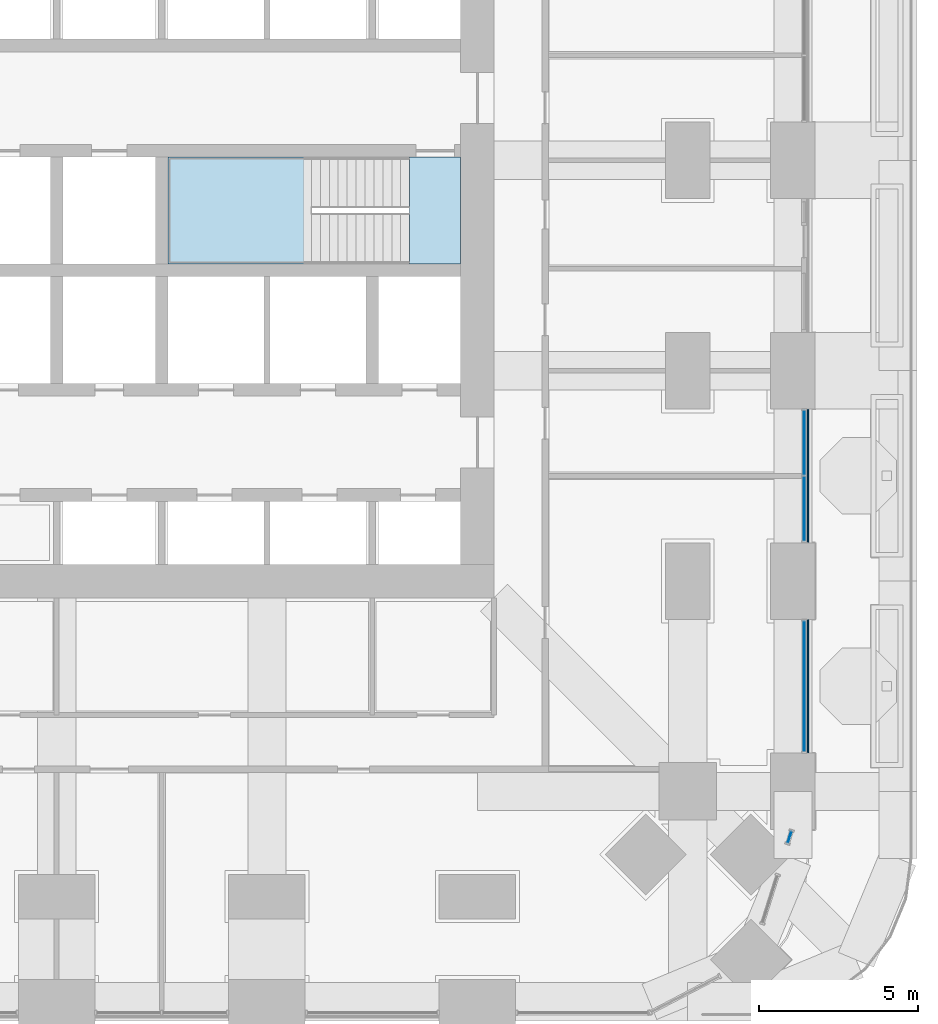
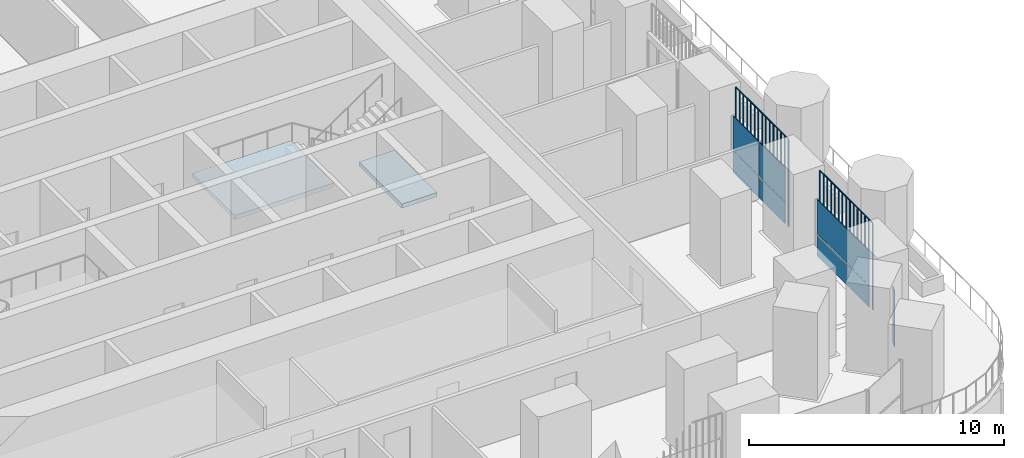
# One storey, part 13 of 27: 10 plates, 2 slabs, 4 elements without a shape of their own.
"""IFC4 building model written with IfcOpenShell, lengths in metres."""

from ifc_helpers import new_model, si_unit, direction, frame, origin, origin_2d, place, context, subcontext, project, spatial, polyline, rectangle, outline, extrude, material, layer, layer_set, type_object, element, aggregate, save


model = new_model("IFC4")

# Units and contexts
model_context = context("Model", 3, precision=1e-05, world=origin(), true_north=direction((0.0, 1.0)))
body_context = subcontext(model_context, "Body", "Model", "MODEL_VIEW")
ifc_project = project(units=[si_unit("LENGTHUNIT", "METRE"), si_unit("AREAUNIT", "SQUARE_METRE"), si_unit("VOLUMEUNIT", "CUBIC_METRE"), si_unit("PLANEANGLEUNIT", "RADIAN"), si_unit("MASSUNIT", "GRAM", prefix="KILO")], contexts=[model_context])

# Site, building, storey
site_placement = place(None, origin())
site = spatial("IfcSite", under=ifc_project, at=site_placement, CompositionType="ELEMENT")
building_placement = place(site_placement, origin())
building = spatial("IfcBuilding", under=site, at=building_placement, Name="Cobogo Forest Laboratory Tower", CompositionType="ELEMENT")
storey_placement = place(building_placement, frame((0.0, 0.0, 82.199951171875)))
storey = spatial("IfcBuildingStorey", under=building, at=storey_placement, Name="L18", CompositionType="ELEMENT", Elevation=82.199951171875)

# Curtain wall, plates
ifc_material_1 = material(Name="Aluminium curtain wall", Category="aluminium")
curtain_wall_type = type_object("IfcCurtainWallType", Name="CW-1 unitised curtain wall, clear glazing, laboratory floors zones A and B", PredefinedType="USERDEFINED", material=ifc_material_1)
curtain_wall_1_placement = place(storey_placement, origin())
curtain_wall_1 = element("IfcCurtainWall", 1, at=curtain_wall_1_placement, inside=storey, type_object=curtain_wall_type, Name="Curtain wall 09 L18", ObjectType="UNITISED CURTAIN WALL", PredefinedType="USERDEFINED")
ifc_material_2 = material(Name="Clear insulated glass", Category="glass")
ifc_layer_1 = layer(ifc_material_2, 0.028076171875)
ifc_layer_set_1 = layer_set([ifc_layer_1], Name="GP-1 clear insulated glass unit 28")
plate_type_1 = type_object("IfcPlateType", Name="GP-1 clear insulated glass unit 28", PredefinedType="CURTAIN_PANEL", material=ifc_layer_set_1)
plate_1_placement = place(storey_placement, frame((49.397216796875, 5.16650390625, 0.0), z_axis=(0.0, 0.0, 1.0), x_axis=(0.301134593201, 0.953581646624, 0.0)))
plate_1 = element("IfcPlate", 2, at=plate_1_placement, type_object=plate_type_1, Name="CW-1 panel 1.1", PredefinedType="CURTAIN_PANEL", context=body_context, shape_type="SweptSolid", body=[
    extrude(rectangle(XDim=0.36962890625, YDim=0.028076171875, at=origin_2d()), origin(), (0.0, 0.0, 1.0), 1.02001953125),
])
plate_2_placement = place(storey_placement, frame((49.397216796875, 5.16650390625, 1.080078125), z_axis=(0.0, 0.0, 1.0), x_axis=(0.301134593201, 0.953581646624, 0.0)))
plate_2 = element("IfcPlate", 3, at=plate_2_placement, type_object=plate_type_1, Name="CW-1 panel 1.2", PredefinedType="CURTAIN_PANEL", context=body_context, shape_type="SweptSolid", body=[
    extrude(rectangle(XDim=0.36962890625, YDim=0.028076171875, at=origin_2d()), origin(), (0.0, 0.0, 1.0), 1.6201171875),
])
aggregate(curtain_wall_1, [plate_1, plate_2])

curtain_wall_2_placement = place(storey_placement, origin())
curtain_wall_2 = element("IfcCurtainWall", 4, at=curtain_wall_2_placement, inside=storey, type_object=curtain_wall_type, Name="Curtain wall 10 L18", ObjectType="UNITISED CURTAIN WALL", PredefinedType="USERDEFINED")
plate_3_placement = place(storey_placement, frame((49.85009765625, 9.89990234375, 0.0), z_axis=(0.0, 0.0, 1.0), x_axis=(0.0, 1.0, 0.0)))
plate_3 = element("IfcPlate", 5, at=plate_3_placement, type_object=plate_type_1, Name="CW-1 panel 1.1", PredefinedType="CURTAIN_PANEL", context=body_context, shape_type="SweptSolid", body=[
    extrude(rectangle(XDim=4.080078125, YDim=0.028076171875, at=origin_2d()), origin(), (0.0, 0.0, 1.0), 1.02001953125),
])
plate_4_placement = place(storey_placement, frame((49.85009765625, 9.89990234375, 1.080078125), z_axis=(0.0, 0.0, 1.0), x_axis=(0.0, 1.0, 0.0)))
plate_4 = element("IfcPlate", 6, at=plate_4_placement, type_object=plate_type_1, Name="CW-1 panel 1.2", PredefinedType="CURTAIN_PANEL", context=body_context, shape_type="SweptSolid", body=[
    extrude(rectangle(XDim=4.080078125, YDim=0.028076171875, at=origin_2d()), origin(), (0.0, 0.0, 1.0), 1.6201171875),
])
aggregate(curtain_wall_2, [plate_3, plate_4])

curtain_wall_3_placement = place(storey_placement, origin())
curtain_wall_3 = element("IfcCurtainWall", 7, at=curtain_wall_3_placement, inside=storey, type_object=curtain_wall_type, Name="Curtain wall 11 L18", ObjectType="UNITISED CURTAIN WALL", PredefinedType="USERDEFINED")
plate_5_placement = place(storey_placement, frame((49.85009765625, 15.465087890625, 0.0), z_axis=(0.0, 0.0, 1.0), x_axis=(0.0, 1.0, 0.0)))
plate_5 = element("IfcPlate", 8, at=plate_5_placement, type_object=plate_type_1, Name="CW-1 panel 1.1", PredefinedType="CURTAIN_PANEL", context=body_context, shape_type="SweptSolid", body=[
    extrude(rectangle(XDim=2.010009765625, YDim=0.028076171875, at=origin_2d()), origin(), (0.0, 0.0, 1.0), 1.02001953125),
])
plate_6_placement = place(storey_placement, frame((49.85009765625, 15.465087890625, 1.080078125), z_axis=(0.0, 0.0, 1.0), x_axis=(0.0, 1.0, 0.0)))
plate_6 = element("IfcPlate", 9, at=plate_6_placement, type_object=plate_type_1, Name="CW-1 panel 1.2", PredefinedType="CURTAIN_PANEL", context=body_context, shape_type="SweptSolid", body=[
    extrude(rectangle(XDim=2.010009765625, YDim=0.028076171875, at=origin_2d()), origin(), (0.0, 0.0, 1.0), 1.6201171875),
])
plate_7_placement = place(storey_placement, frame((49.85009765625, 17.534912109375, 0.0), z_axis=(0.0, 0.0, 1.0), x_axis=(0.0, 1.0, 0.0)))
plate_7 = element("IfcPlate", 10, at=plate_7_placement, type_object=plate_type_1, Name="CW-1 panel 2.1", PredefinedType="CURTAIN_PANEL", context=body_context, shape_type="SweptSolid", body=[
    extrude(rectangle(XDim=2.010009765625, YDim=0.028076171875, at=origin_2d()), origin(), (0.0, 0.0, 1.0), 1.02001953125),
])
plate_8_placement = place(storey_placement, frame((49.85009765625, 17.534912109375, 1.080078125), z_axis=(0.0, 0.0, 1.0), x_axis=(0.0, 1.0, 0.0)))
plate_8 = element("IfcPlate", 11, at=plate_8_placement, type_object=plate_type_1, Name="CW-1 panel 2.2", PredefinedType="CURTAIN_PANEL", context=body_context, shape_type="SweptSolid", body=[
    extrude(rectangle(XDim=2.010009765625, YDim=0.028076171875, at=origin_2d()), origin(), (0.0, 0.0, 1.0), 1.6201171875),
])
aggregate(curtain_wall_3, [plate_5, plate_6, plate_7, plate_8])

# Stair, slabs
ifc_material_3 = material(Name="Precast concrete HA-40 (C40/50)", Category="concrete")
stair_type = type_object("IfcStairType", Name="ST24 exit stair 24 risers", PredefinedType="HALF_TURN_STAIR", material=ifc_material_3)
stair_placement = place(storey_placement, origin())
stair = element("IfcStair", 12, at=stair_placement, inside=storey, type_object=stair_type, Name="Stair 2 L18 to L19", PredefinedType="HALF_TURN_STAIR")
ifc_material_4 = material(Name="Concrete HA-40 (C40/50)", Category="concrete")
ifc_layer_2 = layer(ifc_material_4, 0.199951171875)
ifc_layer_set_2 = layer_set([ifc_layer_2], Name="SL stair landing 200")
slab_type = type_object("IfcSlabType", Name="SL stair landing 200", PredefinedType="LANDING", material=ifc_layer_set_2)
slab_1_placement = place(storey_placement, frame((0.0, 0.0, -0.199951171875)))
slab_1 = element("IfcSlab", 13, at=slab_1_placement, type_object=slab_type, Name="ST2 landing 1", PredefinedType="LANDING", context=body_context, shape_type="SweptSolid", body=[
    extrude(outline(polyline([(37.472900390625, 23.14990234375), (39.074951171875, 23.14990234375), (39.074951171875, 26.5), (37.472900390625, 26.5), (37.472900390625, 23.14990234375)])), origin(), (0.0, 0.0, 1.0), 0.199951171875),
])
slab_2_placement = place(storey_placement, frame((0.0, 0.0, 1.900146484375)))
slab_2 = element("IfcSlab", 14, at=slab_2_placement, type_object=slab_type, Name="ST2 landing 2", PredefinedType="LANDING", context=body_context, shape_type="SweptSolid", body=[
    extrude(outline(polyline([(29.89990234375, 23.14990234375), (34.39697265625, 23.14990234375), (34.39697265625, 26.5), (29.89990234375, 26.5), (29.89990234375, 23.14990234375)])), origin(), (0.0, 0.0, 1.0), 0.199951171875),
])
aggregate(stair, [slab_1, slab_2])

# Plates
ifc_material_5 = material(Name="Terracotta", Category="masonry")
plate_type_2 = type_object("IfcPlateType", Name="TB1 terracotta baguette screen", PredefinedType="USERDEFINED", material=ifc_material_5)
plate_9_placement = place(storey_placement, frame((49.977783203125, 7.831298828125, -0.14990234375)))
element("IfcPlate", 15, at=plate_9_placement, inside=storey, type_object=plate_type_2, Name="Baguette screen E1 L18", ObjectType="BAGUETTE SCREEN", PredefinedType="USERDEFINED", context=body_context, shape_type="SweptSolid", body=[
    extrude(outline(polyline([(0.02880859375, 0.011962890625), (0.011962890625, 0.02880859375), (-0.011962890625, 0.02880859375), (-0.02880859375, 0.011962890625), (-0.02880859375, -0.011962890625), (-0.011962890625, -0.02880859375), (0.011962890625, -0.02880859375), (0.02880859375, -0.011962890625), (0.02880859375, 0.011962890625)])), frame((0.0, 0.0, 4.168701171875), z_axis=(0.0, 1.0, 0.0), x_axis=(-1.0, 0.0, 0.0)), (0.0, 0.0, 1.0), 4.137451171875),
    extrude(outline(polyline([(0.02880859375, 0.011962890625), (0.011962890625, 0.02880859375), (-0.011962890625, 0.02880859375), (-0.02880859375, 0.011962890625), (-0.02880859375, -0.011962890625), (-0.011962890625, -0.02880859375), (0.011962890625, -0.02880859375), (0.02880859375, -0.011962890625), (0.02880859375, 0.011962890625)])), origin(), (0.0, 0.0, 1.0), 4.137451171875),
    extrude(outline(polyline([(0.02880859375, 0.011962890625), (0.011962890625, 0.02880859375), (-0.011962890625, 0.02880859375), (-0.02880859375, 0.011962890625), (-0.02880859375, -0.011962890625), (-0.011962890625, -0.02880859375), (0.011962890625, -0.02880859375), (0.02880859375, -0.011962890625), (0.02880859375, 0.011962890625)])), frame((0.0, 0.29541015625, 0.0)), (0.0, 0.0, 1.0), 4.137451171875),
    extrude(outline(polyline([(0.02880859375, 0.011962890625), (0.011962890625, 0.02880859375), (-0.011962890625, 0.02880859375), (-0.02880859375, 0.011962890625), (-0.02880859375, -0.011962890625), (-0.011962890625, -0.02880859375), (0.011962890625, -0.02880859375), (0.02880859375, -0.011962890625), (0.02880859375, 0.011962890625)])), frame((0.0, 0.591064453125, 0.0)), (0.0, 0.0, 1.0), 4.137451171875),
    extrude(outline(polyline([(0.02880859375, 0.011962890625), (0.011962890625, 0.02880859375), (-0.011962890625, 0.02880859375), (-0.02880859375, 0.011962890625), (-0.02880859375, -0.011962890625), (-0.011962890625, -0.02880859375), (0.011962890625, -0.02880859375), (0.02880859375, -0.011962890625), (0.02880859375, 0.011962890625)])), frame((0.0, 0.88671875, 0.0)), (0.0, 0.0, 1.0), 4.137451171875),
    extrude(outline(polyline([(0.02880859375, 0.011962890625), (0.011962890625, 0.02880859375), (-0.011962890625, 0.02880859375), (-0.02880859375, 0.011962890625), (-0.02880859375, -0.011962890625), (-0.011962890625, -0.02880859375), (0.011962890625, -0.02880859375), (0.02880859375, -0.011962890625), (0.02880859375, 0.011962890625)])), frame((0.0, 1.18212890625, 0.0)), (0.0, 0.0, 1.0), 4.137451171875),
    extrude(outline(polyline([(0.02880859375, 0.011962890625), (0.011962890625, 0.02880859375), (-0.011962890625, 0.02880859375), (-0.02880859375, 0.011962890625), (-0.02880859375, -0.011962890625), (-0.011962890625, -0.02880859375), (0.011962890625, -0.02880859375), (0.02880859375, -0.011962890625), (0.02880859375, 0.011962890625)])), frame((0.0, 1.4775390625, 0.0)), (0.0, 0.0, 1.0), 4.137451171875),
    extrude(outline(polyline([(0.02880859375, 0.011962890625), (0.011962890625, 0.02880859375), (-0.011962890625, 0.02880859375), (-0.02880859375, 0.011962890625), (-0.02880859375, -0.011962890625), (-0.011962890625, -0.02880859375), (0.011962890625, -0.02880859375), (0.02880859375, -0.011962890625), (0.02880859375, 0.011962890625)])), frame((0.0, 1.773193359375, 0.0)), (0.0, 0.0, 1.0), 4.137451171875),
    extrude(outline(polyline([(0.02880859375, 0.011962890625), (0.011962890625, 0.02880859375), (-0.011962890625, 0.02880859375), (-0.02880859375, 0.011962890625), (-0.02880859375, -0.011962890625), (-0.011962890625, -0.02880859375), (0.011962890625, -0.02880859375), (0.02880859375, -0.011962890625), (0.02880859375, 0.011962890625)])), frame((0.0, 2.06884765625, 0.0)), (0.0, 0.0, 1.0), 4.137451171875),
    extrude(outline(polyline([(0.02880859375, 0.011962890625), (0.011962890625, 0.02880859375), (-0.011962890625, 0.02880859375), (-0.02880859375, 0.011962890625), (-0.02880859375, -0.011962890625), (-0.011962890625, -0.02880859375), (0.011962890625, -0.02880859375), (0.02880859375, -0.011962890625), (0.02880859375, 0.011962890625)])), frame((0.0, 2.3642578125, 0.0)), (0.0, 0.0, 1.0), 4.137451171875),
    extrude(outline(polyline([(0.02880859375, 0.011962890625), (0.011962890625, 0.02880859375), (-0.011962890625, 0.02880859375), (-0.02880859375, 0.011962890625), (-0.02880859375, -0.011962890625), (-0.011962890625, -0.02880859375), (0.011962890625, -0.02880859375), (0.02880859375, -0.011962890625), (0.02880859375, 0.011962890625)])), frame((0.0, 2.65966796875, 0.0)), (0.0, 0.0, 1.0), 4.137451171875),
    extrude(outline(polyline([(0.02880859375, 0.011962890625), (0.011962890625, 0.02880859375), (-0.011962890625, 0.02880859375), (-0.02880859375, 0.011962890625), (-0.02880859375, -0.011962890625), (-0.011962890625, -0.02880859375), (0.011962890625, -0.02880859375), (0.02880859375, -0.011962890625), (0.02880859375, 0.011962890625)])), frame((0.0, 2.955322265625, 0.0)), (0.0, 0.0, 1.0), 4.137451171875),
    extrude(outline(polyline([(0.02880859375, 0.011962890625), (0.011962890625, 0.02880859375), (-0.011962890625, 0.02880859375), (-0.02880859375, 0.011962890625), (-0.02880859375, -0.011962890625), (-0.011962890625, -0.02880859375), (0.011962890625, -0.02880859375), (0.02880859375, -0.011962890625), (0.02880859375, 0.011962890625)])), frame((0.0, 3.2509765625, 0.0)), (0.0, 0.0, 1.0), 4.137451171875),
    extrude(outline(polyline([(0.02880859375, 0.011962890625), (0.011962890625, 0.02880859375), (-0.011962890625, 0.02880859375), (-0.02880859375, 0.011962890625), (-0.02880859375, -0.011962890625), (-0.011962890625, -0.02880859375), (0.011962890625, -0.02880859375), (0.02880859375, -0.011962890625), (0.02880859375, 0.011962890625)])), frame((0.0, 3.54638671875, 0.0)), (0.0, 0.0, 1.0), 4.137451171875),
    extrude(outline(polyline([(0.02880859375, 0.011962890625), (0.011962890625, 0.02880859375), (-0.011962890625, 0.02880859375), (-0.02880859375, 0.011962890625), (-0.02880859375, -0.011962890625), (-0.011962890625, -0.02880859375), (0.011962890625, -0.02880859375), (0.02880859375, -0.011962890625), (0.02880859375, 0.011962890625)])), frame((0.0, 3.841796875, 0.0)), (0.0, 0.0, 1.0), 4.137451171875),
    extrude(outline(polyline([(0.02880859375, 0.011962890625), (0.011962890625, 0.02880859375), (-0.011962890625, 0.02880859375), (-0.02880859375, 0.011962890625), (-0.02880859375, -0.011962890625), (-0.011962890625, -0.02880859375), (0.011962890625, -0.02880859375), (0.02880859375, -0.011962890625), (0.02880859375, 0.011962890625)])), frame((0.0, 4.137451171875, 0.0)), (0.0, 0.0, 1.0), 4.137451171875),
])
plate_10_placement = place(storey_placement, frame((49.977783203125, 14.43115234375, -0.14990234375)))
element("IfcPlate", 16, at=plate_10_placement, inside=storey, type_object=plate_type_2, Name="Baguette screen E2 L18", ObjectType="BAGUETTE SCREEN", PredefinedType="USERDEFINED", context=body_context, shape_type="SweptSolid", body=[
    extrude(outline(polyline([(0.02880859375, 0.011962890625), (0.011962890625, 0.02880859375), (-0.011962890625, 0.02880859375), (-0.02880859375, 0.011962890625), (-0.02880859375, -0.011962890625), (-0.011962890625, -0.02880859375), (0.011962890625, -0.02880859375), (0.02880859375, -0.011962890625), (0.02880859375, 0.011962890625)])), frame((0.0, 0.0, 4.168701171875), z_axis=(0.0, 1.0, 0.0), x_axis=(-1.0, 0.0, 0.0)), (0.0, 0.0, 1.0), 4.1376953125),
    extrude(outline(polyline([(0.02880859375, 0.011962890625), (0.011962890625, 0.02880859375), (-0.011962890625, 0.02880859375), (-0.02880859375, 0.011962890625), (-0.02880859375, -0.011962890625), (-0.011962890625, -0.02880859375), (0.011962890625, -0.02880859375), (0.02880859375, -0.011962890625), (0.02880859375, 0.011962890625)])), origin(), (0.0, 0.0, 1.0), 4.137451171875),
    extrude(outline(polyline([(0.02880859375, 0.011962890625), (0.011962890625, 0.02880859375), (-0.011962890625, 0.02880859375), (-0.02880859375, 0.011962890625), (-0.02880859375, -0.011962890625), (-0.011962890625, -0.02880859375), (0.011962890625, -0.02880859375), (0.02880859375, -0.011962890625), (0.02880859375, 0.011962890625)])), frame((0.0, 0.295654296875, 0.0)), (0.0, 0.0, 1.0), 4.137451171875),
    extrude(outline(polyline([(0.02880859375, 0.011962890625), (0.011962890625, 0.02880859375), (-0.011962890625, 0.02880859375), (-0.02880859375, 0.011962890625), (-0.02880859375, -0.011962890625), (-0.011962890625, -0.02880859375), (0.011962890625, -0.02880859375), (0.02880859375, -0.011962890625), (0.02880859375, 0.011962890625)])), frame((0.0, 0.591064453125, 0.0)), (0.0, 0.0, 1.0), 4.137451171875),
    extrude(outline(polyline([(0.02880859375, 0.011962890625), (0.011962890625, 0.02880859375), (-0.011962890625, 0.02880859375), (-0.02880859375, 0.011962890625), (-0.02880859375, -0.011962890625), (-0.011962890625, -0.02880859375), (0.011962890625, -0.02880859375), (0.02880859375, -0.011962890625), (0.02880859375, 0.011962890625)])), frame((0.0, 0.88671875, 0.0)), (0.0, 0.0, 1.0), 4.137451171875),
    extrude(outline(polyline([(0.02880859375, 0.011962890625), (0.011962890625, 0.02880859375), (-0.011962890625, 0.02880859375), (-0.02880859375, 0.011962890625), (-0.02880859375, -0.011962890625), (-0.011962890625, -0.02880859375), (0.011962890625, -0.02880859375), (0.02880859375, -0.011962890625), (0.02880859375, 0.011962890625)])), frame((0.0, 1.18212890625, 0.0)), (0.0, 0.0, 1.0), 4.137451171875),
    extrude(outline(polyline([(0.02880859375, 0.011962890625), (0.011962890625, 0.02880859375), (-0.011962890625, 0.02880859375), (-0.02880859375, 0.011962890625), (-0.02880859375, -0.011962890625), (-0.011962890625, -0.02880859375), (0.011962890625, -0.02880859375), (0.02880859375, -0.011962890625), (0.02880859375, 0.011962890625)])), frame((0.0, 1.477783203125, 0.0)), (0.0, 0.0, 1.0), 4.137451171875),
    extrude(outline(polyline([(0.02880859375, 0.011962890625), (0.011962890625, 0.02880859375), (-0.011962890625, 0.02880859375), (-0.02880859375, 0.011962890625), (-0.02880859375, -0.011962890625), (-0.011962890625, -0.02880859375), (0.011962890625, -0.02880859375), (0.02880859375, -0.011962890625), (0.02880859375, 0.011962890625)])), frame((0.0, 1.773193359375, 0.0)), (0.0, 0.0, 1.0), 4.137451171875),
    extrude(outline(polyline([(0.02880859375, 0.011962890625), (0.011962890625, 0.02880859375), (-0.011962890625, 0.02880859375), (-0.02880859375, 0.011962890625), (-0.02880859375, -0.011962890625), (-0.011962890625, -0.02880859375), (0.011962890625, -0.02880859375), (0.02880859375, -0.011962890625), (0.02880859375, 0.011962890625)])), frame((0.0, 2.06884765625, 0.0)), (0.0, 0.0, 1.0), 4.137451171875),
    extrude(outline(polyline([(0.02880859375, 0.011962890625), (0.011962890625, 0.02880859375), (-0.011962890625, 0.02880859375), (-0.02880859375, 0.011962890625), (-0.02880859375, -0.011962890625), (-0.011962890625, -0.02880859375), (0.011962890625, -0.02880859375), (0.02880859375, -0.011962890625), (0.02880859375, 0.011962890625)])), frame((0.0, 2.364501953125, 0.0)), (0.0, 0.0, 1.0), 4.137451171875),
    extrude(outline(polyline([(0.02880859375, 0.011962890625), (0.011962890625, 0.02880859375), (-0.011962890625, 0.02880859375), (-0.02880859375, 0.011962890625), (-0.02880859375, -0.011962890625), (-0.011962890625, -0.02880859375), (0.011962890625, -0.02880859375), (0.02880859375, -0.011962890625), (0.02880859375, 0.011962890625)])), frame((0.0, 2.659912109375, 0.0)), (0.0, 0.0, 1.0), 4.137451171875),
    extrude(outline(polyline([(0.02880859375, 0.011962890625), (0.011962890625, 0.02880859375), (-0.011962890625, 0.02880859375), (-0.02880859375, 0.011962890625), (-0.02880859375, -0.011962890625), (-0.011962890625, -0.02880859375), (0.011962890625, -0.02880859375), (0.02880859375, -0.011962890625), (0.02880859375, 0.011962890625)])), frame((0.0, 2.95556640625, 0.0)), (0.0, 0.0, 1.0), 4.137451171875),
    extrude(outline(polyline([(0.02880859375, 0.011962890625), (0.011962890625, 0.02880859375), (-0.011962890625, 0.02880859375), (-0.02880859375, 0.011962890625), (-0.02880859375, -0.011962890625), (-0.011962890625, -0.02880859375), (0.011962890625, -0.02880859375), (0.02880859375, -0.011962890625), (0.02880859375, 0.011962890625)])), frame((0.0, 3.2509765625, 0.0)), (0.0, 0.0, 1.0), 4.137451171875),
    extrude(outline(polyline([(0.02880859375, 0.011962890625), (0.011962890625, 0.02880859375), (-0.011962890625, 0.02880859375), (-0.02880859375, 0.011962890625), (-0.02880859375, -0.011962890625), (-0.011962890625, -0.02880859375), (0.011962890625, -0.02880859375), (0.02880859375, -0.011962890625), (0.02880859375, 0.011962890625)])), frame((0.0, 3.546630859375, 0.0)), (0.0, 0.0, 1.0), 4.137451171875),
    extrude(outline(polyline([(0.02880859375, 0.011962890625), (0.011962890625, 0.02880859375), (-0.011962890625, 0.02880859375), (-0.02880859375, 0.011962890625), (-0.02880859375, -0.011962890625), (-0.011962890625, -0.02880859375), (0.011962890625, -0.02880859375), (0.02880859375, -0.011962890625), (0.02880859375, 0.011962890625)])), frame((0.0, 3.842041015625, 0.0)), (0.0, 0.0, 1.0), 4.137451171875),
    extrude(outline(polyline([(0.02880859375, 0.011962890625), (0.011962890625, 0.02880859375), (-0.011962890625, 0.02880859375), (-0.02880859375, 0.011962890625), (-0.02880859375, -0.011962890625), (-0.011962890625, -0.02880859375), (0.011962890625, -0.02880859375), (0.02880859375, -0.011962890625), (0.02880859375, 0.011962890625)])), frame((0.0, 4.1376953125, 0.0)), (0.0, 0.0, 1.0), 4.137451171875),
])

save(model, "model.ifc")
